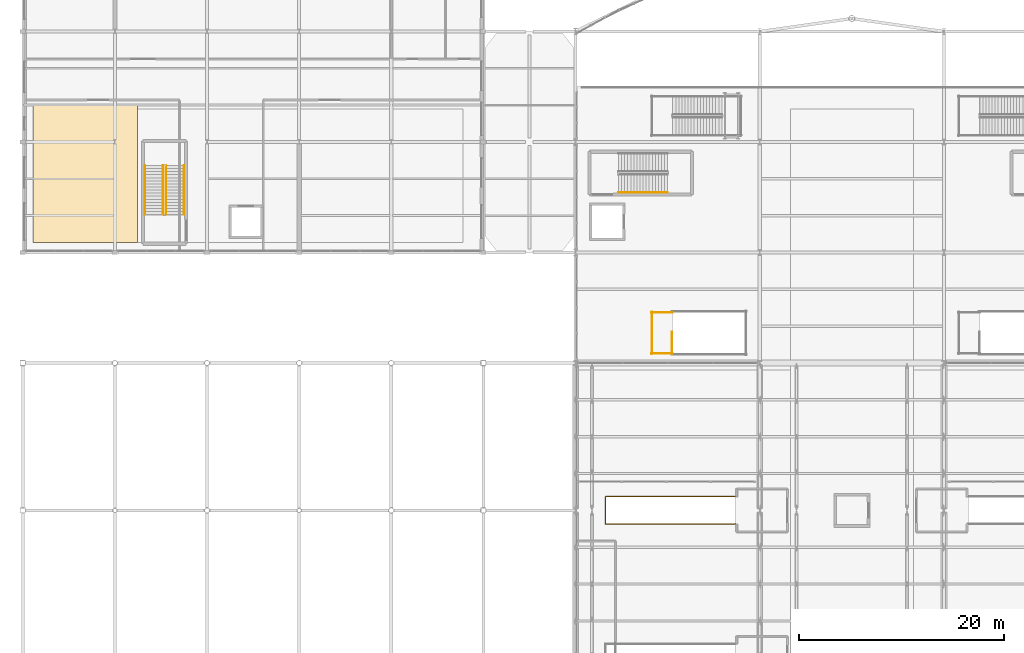
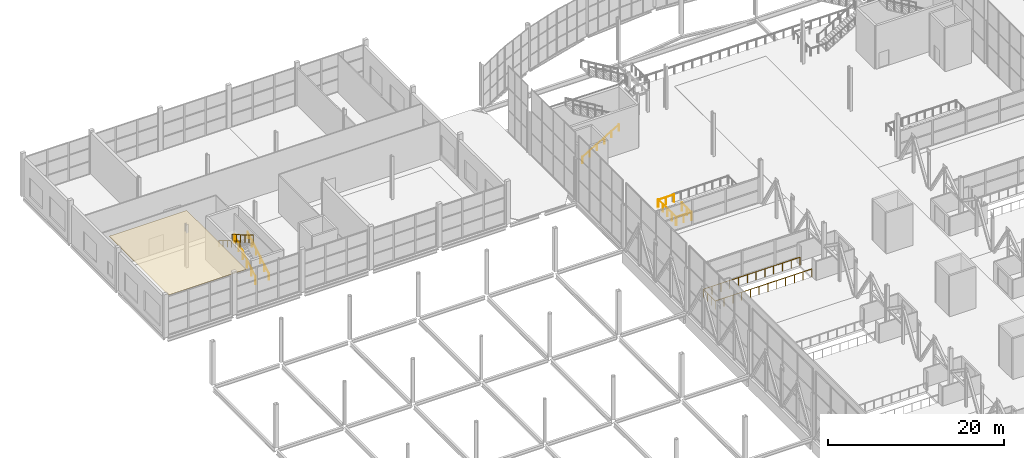
# One storey, part 180 of 191: 10 railings, 1 covering.
"""IFC4 building model written with IfcOpenShell, lengths in metres."""

from ifc_helpers import new_model, si_unit, direction, frame, origin, origin_2d, place, context, subcontext, project, spatial, polyline, circle, outline, extrude, material, layer, layer_set, type_object, element, save


model = new_model("IFC4")

# Units and contexts
model_context = context("Model", 3, precision=1e-05, world=origin(), true_north=direction((0.0, 1.0)))
body_context = subcontext(model_context, "Body", "Model", "MODEL_VIEW")
ifc_project = project(units=[si_unit("LENGTHUNIT", "METRE"), si_unit("AREAUNIT", "SQUARE_METRE"), si_unit("VOLUMEUNIT", "CUBIC_METRE"), si_unit("PLANEANGLEUNIT", "RADIAN"), si_unit("MASSUNIT", "GRAM", prefix="KILO")], contexts=[model_context])

# Site, building, storey
site_placement = place(None, origin())
site = spatial("IfcSite", under=ifc_project, at=site_placement, CompositionType="ELEMENT")
building_placement = place(site_placement, origin())
building = spatial("IfcBuilding", under=site, at=building_placement, Name="Tamarisk Ironworks Central Station", CompositionType="ELEMENT")
storey_placement = place(building_placement, frame((0.0, 0.0, 6.60009765625)))
storey = spatial("IfcBuildingStorey", under=building, at=storey_placement, Name="L01", CompositionType="ELEMENT", Elevation=6.60009765625)

# Covering
ifc_material_1 = material(Name="Gypsum plasterboard acoustic partition")
ifc_layer = layer(ifc_material_1, 0.0400390625)
ifc_layer_set = layer_set([ifc_layer], Name="Gypsum plasterboard acoustic partition")
covering_type = type_object("IfcCoveringType", Name="COV-CEIL-AC", PredefinedType="CEILING", material=ifc_layer_set)
covering_placement = place(storey_placement, frame((0.0, 0.0, 4.7998046875)))
element("IfcCovering", 1, at=covering_placement, inside=storey, type_object=covering_type, Name="L01 suspended acoustic baffle ceiling 005", PredefinedType="CEILING", context=body_context, shape_type="SweptSolid", body=[
    extrude(outline(polyline([(1.0, 91.0), (11.199951171875, 91.0), (11.199951171875, 104.5), (1.0, 104.5), (1.0, 91.0)])), origin(), (0.0, 0.0, 1.0), 0.0400390625),
])

# Railings
ifc_material_2 = material(Name="Laminated solar-control low-E glass", Category="glass")
railing_type_1 = type_object("IfcRailingType", Name="RL-GUARD-GLASS", PredefinedType="BALUSTRADE", material=ifc_material_2)
railing_1_placement = place(storey_placement, frame((63.449951171875, 80.10009765625, 0.0)))
element("IfcRailing", 2, at=railing_1_placement, inside=storey, type_object=railing_type_1, Name="L01 ST-TH1 top well guard 1", PredefinedType="BALUSTRADE", context=body_context, shape_type="SweptSolid", body=[
    extrude(circle(Radius=0.02392578125, at=origin_2d()), frame((0.0, 0.0, 1.076171875), z_axis=(0.0, 1.0, 0.0), x_axis=(-1.0, 0.0, 0.0)), (0.0, 0.0, 1.0), 2.14990234375),
    extrude(circle(Radius=0.02099609375, at=origin_2d()), origin(), (0.0, 0.0, 1.0), 1.052001953125),
    extrude(circle(Radius=0.02099609375, at=origin_2d()), frame((0.0, 1.074951171875, 0.0)), (0.0, 0.0, 1.0), 1.052001953125),
    extrude(circle(Radius=0.02099609375, at=origin_2d()), frame((0.0, 2.14990234375, 0.0)), (0.0, 0.0, 1.0), 1.052001953125),
])
for number, where, name in (
    (3, (61.39990234375, 80.14990234375, 0.0), "L01 ST-TH1 top well guard 5"),
    (4, (61.39990234375, 84.14990234375, 0.0), "L01 ST-TH1 top well guard 6"),
):
    element("IfcRailing", number, at=place(storey_placement, frame(where)), inside=storey, type_object=railing_type_1, Name=name, PredefinedType="BALUSTRADE", context=body_context, shape_type="SweptSolid", body=[
        extrude(circle(Radius=0.02392578125, at=origin_2d()), frame((0.0, 0.0, 1.076171875), z_axis=(1.0, 0.0, 0.0), x_axis=(0.0, 1.0, 0.0)), (0.0, 0.0, 1.0), 2.10009765625),
        extrude(circle(Radius=0.02099609375, at=origin_2d()), origin(), (0.0, 0.0, 1.0), 1.052001953125),
        extrude(circle(Radius=0.02099609375, at=origin_2d()), frame((1.050048828125, 0.0, 0.0)), (0.0, 0.0, 1.0), 1.052001953125),
        extrude(circle(Radius=0.02099609375, at=origin_2d()), frame((2.10009765625, 0.0, 0.0)), (0.0, 0.0, 1.0), 1.052001953125),
    ])
railing_2_placement = place(storey_placement, frame((61.449951171875, 80.10009765625, 0.0)))
element("IfcRailing", 5, at=railing_2_placement, inside=storey, type_object=railing_type_1, Name="L01 ST-TH1 top well guard 7", PredefinedType="BALUSTRADE", context=body_context, shape_type="SweptSolid", body=[
    extrude(circle(Radius=0.02392578125, at=origin_2d()), frame((0.0, 0.0, 1.076171875), z_axis=(0.0, 1.0, 0.0), x_axis=(-1.0, 0.0, 0.0)), (0.0, 0.0, 1.0), 4.099853515625),
    extrude(circle(Radius=0.02099609375, at=origin_2d()), origin(), (0.0, 0.0, 1.0), 1.052001953125),
    extrude(circle(Radius=0.02099609375, at=origin_2d()), frame((0.0, 1.02490234375, 0.0)), (0.0, 0.0, 1.0), 1.052001953125),
    extrude(circle(Radius=0.02099609375, at=origin_2d()), frame((0.0, 2.0498046875, 0.0)), (0.0, 0.0, 1.0), 1.052001953125),
    extrude(circle(Radius=0.02099609375, at=origin_2d()), frame((0.0, 3.074951171875, 0.0)), (0.0, 0.0, 1.0), 1.052001953125),
    extrude(circle(Radius=0.02099609375, at=origin_2d()), frame((0.0, 4.099853515625, 0.0)), (0.0, 0.0, 1.0), 1.052001953125),
])
railing_3_placement = place(storey_placement, frame((69.64990234375, 63.449951171875, 0.0)))
element("IfcRailing", 6, at=railing_3_placement, inside=storey, type_object=railing_type_1, Name="L01 platform stair well guard ST-P4A", PredefinedType="BALUSTRADE", context=body_context, shape_type="SweptSolid", body=[
    extrude(circle(Radius=0.02392578125, at=origin_2d()), frame((0.0, 0.0, 1.1259765625), z_axis=(-1.0, 0.0, 0.0), x_axis=(0.0, -1.0, 0.0)), (0.0, 0.0, 1.0), 12.699951171875),
    extrude(circle(Radius=0.02392578125, at=origin_2d()), frame((-12.699951171875, 0.0, 1.1259765625), z_axis=(0.0, 1.0, 0.0), x_axis=(-1.0, 0.0, 0.0)), (0.0, 0.0, 1.0), 2.699951171875),
    extrude(circle(Radius=0.02392578125, at=origin_2d()), frame((-12.699951171875, 2.699951171875, 1.1259765625), z_axis=(1.0, 0.0, 0.0), x_axis=(0.0, 1.0, 0.0)), (0.0, 0.0, 1.0), 12.699951171875),
    extrude(circle(Radius=0.02099609375, at=origin_2d()), origin(), (0.0, 0.0, 1.0), 1.101806640625),
    extrude(circle(Radius=0.02099609375, at=origin_2d()), frame((-1.154541015625, 0.0, 0.0)), (0.0, 0.0, 1.0), 1.101806640625),
    extrude(circle(Radius=0.02099609375, at=origin_2d()), frame((-2.30908203125, 0.0, 0.0)), (0.0, 0.0, 1.0), 1.101806640625),
    extrude(circle(Radius=0.02099609375, at=origin_2d()), frame((-3.463623046875, 0.0, 0.0)), (0.0, 0.0, 1.0), 1.101806640625),
    extrude(circle(Radius=0.02099609375, at=origin_2d()), frame((-4.6181640625, 0.0, 0.0)), (0.0, 0.0, 1.0), 1.101806640625),
    extrude(circle(Radius=0.02099609375, at=origin_2d()), frame((-5.772705078125, 0.0, 0.0)), (0.0, 0.0, 1.0), 1.101806640625),
    extrude(circle(Radius=0.02099609375, at=origin_2d()), frame((-6.92724609375, 0.0, 0.0)), (0.0, 0.0, 1.0), 1.101806640625),
    extrude(circle(Radius=0.02099609375, at=origin_2d()), frame((-8.081787109375, 0.0, 0.0)), (0.0, 0.0, 1.0), 1.101806640625),
    extrude(circle(Radius=0.02099609375, at=origin_2d()), frame((-9.236328125, 0.0, 0.0)), (0.0, 0.0, 1.0), 1.101806640625),
    extrude(circle(Radius=0.02099609375, at=origin_2d()), frame((-10.390869140625, 0.0, 0.0)), (0.0, 0.0, 1.0), 1.101806640625),
    extrude(circle(Radius=0.02099609375, at=origin_2d()), frame((-11.54541015625, 0.0, 0.0)), (0.0, 0.0, 1.0), 1.101806640625),
    extrude(circle(Radius=0.02099609375, at=origin_2d()), frame((-12.699951171875, 0.0, 0.0)), (0.0, 0.0, 1.0), 1.101806640625),
    extrude(circle(Radius=0.02099609375, at=origin_2d()), frame((-12.699951171875, 0.89990234375, 0.0)), (0.0, 0.0, 1.0), 1.101806640625),
    extrude(circle(Radius=0.02099609375, at=origin_2d()), frame((-12.699951171875, 1.800048828125, 0.0)), (0.0, 0.0, 1.0), 1.101806640625),
    extrude(circle(Radius=0.02099609375, at=origin_2d()), frame((-12.699951171875, 2.699951171875, 0.0)), (0.0, 0.0, 1.0), 1.101806640625),
    extrude(circle(Radius=0.02099609375, at=origin_2d()), frame((-11.54541015625, 2.699951171875, 0.0)), (0.0, 0.0, 1.0), 1.101806640625),
    extrude(circle(Radius=0.02099609375, at=origin_2d()), frame((-10.390869140625, 2.699951171875, 0.0)), (0.0, 0.0, 1.0), 1.101806640625),
    extrude(circle(Radius=0.02099609375, at=origin_2d()), frame((-9.236328125, 2.699951171875, 0.0)), (0.0, 0.0, 1.0), 1.101806640625),
    extrude(circle(Radius=0.02099609375, at=origin_2d()), frame((-8.081787109375, 2.699951171875, 0.0)), (0.0, 0.0, 1.0), 1.101806640625),
    extrude(circle(Radius=0.02099609375, at=origin_2d()), frame((-6.92724609375, 2.699951171875, 0.0)), (0.0, 0.0, 1.0), 1.101806640625),
    extrude(circle(Radius=0.02099609375, at=origin_2d()), frame((-5.772705078125, 2.699951171875, 0.0)), (0.0, 0.0, 1.0), 1.101806640625),
    extrude(circle(Radius=0.02099609375, at=origin_2d()), frame((-4.6181640625, 2.699951171875, 0.0)), (0.0, 0.0, 1.0), 1.101806640625),
    extrude(circle(Radius=0.02099609375, at=origin_2d()), frame((-3.463623046875, 2.699951171875, 0.0)), (0.0, 0.0, 1.0), 1.101806640625),
    extrude(circle(Radius=0.02099609375, at=origin_2d()), frame((-2.30908203125, 2.699951171875, 0.0)), (0.0, 0.0, 1.0), 1.101806640625),
    extrude(circle(Radius=0.02099609375, at=origin_2d()), frame((-1.154541015625, 2.699951171875, 0.0)), (0.0, 0.0, 1.0), 1.101806640625),
    extrude(circle(Radius=0.02099609375, at=origin_2d()), frame((0.0, 2.699951171875, 0.0)), (0.0, 0.0, 1.0), 1.101806640625),
])
ifc_material_3 = material(Name="Brushed stainless steel AISI 316", Category="steel")
railing_type_2 = type_object("IfcRailingType", Name="RL-GUARD-INT", PredefinedType="BALUSTRADE", material=ifc_material_3)
railing_4_placement = place(storey_placement, frame((14.0, 93.699951171875, 0.17626953125)))
element("IfcRailing", 7, at=railing_4_placement, inside=storey, type_object=railing_type_2, Name="L01 ST-C6 stair guard 1", PredefinedType="BALUSTRADE", context=body_context, shape_type="SweptSolid", body=[
    extrude(circle(Radius=0.02392578125, at=origin_2d()), frame((0.0, 0.0, 1.076171875), z_axis=(0.0, 0.861920691219, 0.507043116558), x_axis=(-1.0, 0.0, 0.0)), (0.0, 0.0, 1.0), 5.569091796875),
    extrude(circle(Radius=0.02099609375, at=origin_2d()), origin(), (0.0, 0.0, 1.0), 1.052001953125),
    extrude(circle(Radius=0.02099609375, at=origin_2d()), frame((0.0, 0.9599609375, 0.564697265625)), (0.0, 0.0, 1.0), 1.052001953125),
    extrude(circle(Radius=0.02099609375, at=origin_2d()), frame((0.0, 1.919921875, 1.12939453125)), (0.0, 0.0, 1.0), 1.052001953125),
    extrude(circle(Radius=0.02099609375, at=origin_2d()), frame((0.0, 2.880126953125, 1.6943359375)), (0.0, 0.0, 1.0), 1.052001953125),
    extrude(circle(Radius=0.02099609375, at=origin_2d()), frame((0.0, 3.840087890625, 2.259033203125)), (0.0, 0.0, 1.0), 1.052001953125),
    extrude(circle(Radius=0.02099609375, at=origin_2d()), frame((0.0, 4.800048828125, 2.82373046875)), (0.0, 0.0, 1.0), 1.052001953125),
])
railing_5_placement = place(storey_placement, frame((13.699951171875, 98.5, 3.17626953125)))
element("IfcRailing", 8, at=railing_5_placement, inside=storey, type_object=railing_type_2, Name="L01 ST-C6 stair guard 3", PredefinedType="BALUSTRADE", context=body_context, shape_type="SweptSolid", body=[
    extrude(circle(Radius=0.02392578125, at=origin_2d()), frame((0.0, 0.0, 1.076171875), z_axis=(0.0, -0.861920691219, 0.507043116558), x_axis=(1.0, 0.0, 0.0)), (0.0, 0.0, 1.0), 5.569091796875),
    extrude(circle(Radius=0.02099609375, at=origin_2d()), origin(), (0.0, 0.0, 1.0), 1.052001953125),
    extrude(circle(Radius=0.02099609375, at=origin_2d()), frame((0.0, -0.9599609375, 0.564697265625)), (0.0, 0.0, 1.0), 1.052001953125),
    extrude(circle(Radius=0.02099609375, at=origin_2d()), frame((0.0, -1.919921875, 1.12939453125)), (0.0, 0.0, 1.0), 1.052001953125),
    extrude(circle(Radius=0.02099609375, at=origin_2d()), frame((0.0, -2.880126953125, 1.6943359375)), (0.0, 0.0, 1.0), 1.052001953125),
    extrude(circle(Radius=0.02099609375, at=origin_2d()), frame((0.0, -3.840087890625, 2.259033203125)), (0.0, 0.0, 1.0), 1.052001953125),
    extrude(circle(Radius=0.02099609375, at=origin_2d()), frame((0.0, -4.800048828125, 2.82373046875)), (0.0, 0.0, 1.0), 1.052001953125),
])
railing_type_3 = type_object("IfcRailingType", Name="RL-HAND", PredefinedType="HANDRAIL", material=ifc_material_3)
railing_6_placement = place(storey_placement, frame((58.199951171875, 95.85009765625, 0.17626953125)))
element("IfcRailing", 9, at=railing_6_placement, inside=storey, type_object=railing_type_3, Name="L01 ST-C3 stair handrail 1", PredefinedType="HANDRAIL", context=body_context, shape_type="SweptSolid", body=[
    extrude(circle(Radius=0.02392578125, at=origin_2d()), frame((0.0, 0.0, 0.8759765625), z_axis=(0.861920691219, 0.0, 0.507043116558), x_axis=(0.0, 1.0, 0.0)), (0.0, 0.0, 1.0), 5.569091796875),
    extrude(circle(Radius=0.02099609375, at=origin_2d()), origin(), (0.0, 0.0, 1.0), 0.851806640625),
    extrude(circle(Radius=0.02099609375, at=origin_2d()), frame((0.9599609375, 0.0, 0.564697265625)), (0.0, 0.0, 1.0), 0.851806640625),
    extrude(circle(Radius=0.02099609375, at=origin_2d()), frame((1.919921875, 0.0, 1.12939453125)), (0.0, 0.0, 1.0), 0.851806640625),
    extrude(circle(Radius=0.02099609375, at=origin_2d()), frame((2.880126953125, 0.0, 1.6943359375)), (0.0, 0.0, 1.0), 0.851806640625),
    extrude(circle(Radius=0.02099609375, at=origin_2d()), frame((3.840087890625, 0.0, 2.259033203125)), (0.0, 0.0, 1.0), 0.851806640625),
    extrude(circle(Radius=0.02099609375, at=origin_2d()), frame((4.800048828125, 0.0, 2.82373046875)), (0.0, 0.0, 1.0), 0.851806640625),
])
railing_7_placement = place(storey_placement, frame((15.75, 93.699951171875, 0.17626953125)))
element("IfcRailing", 10, at=railing_7_placement, inside=storey, type_object=railing_type_3, Name="L01 ST-C6 stair handrail 1", PredefinedType="HANDRAIL", context=body_context, shape_type="SweptSolid", body=[
    extrude(circle(Radius=0.02392578125, at=origin_2d()), frame((0.0, 0.0, 0.8759765625), z_axis=(0.0, 0.861920691219, 0.507043116558), x_axis=(-1.0, 0.0, 0.0)), (0.0, 0.0, 1.0), 5.569091796875),
    extrude(circle(Radius=0.02099609375, at=origin_2d()), origin(), (0.0, 0.0, 1.0), 0.851806640625),
    extrude(circle(Radius=0.02099609375, at=origin_2d()), frame((0.0, 0.9599609375, 0.564697265625)), (0.0, 0.0, 1.0), 0.851806640625),
    extrude(circle(Radius=0.02099609375, at=origin_2d()), frame((0.0, 1.919921875, 1.12939453125)), (0.0, 0.0, 1.0), 0.851806640625),
    extrude(circle(Radius=0.02099609375, at=origin_2d()), frame((0.0, 2.880126953125, 1.6943359375)), (0.0, 0.0, 1.0), 0.851806640625),
    extrude(circle(Radius=0.02099609375, at=origin_2d()), frame((0.0, 3.840087890625, 2.259033203125)), (0.0, 0.0, 1.0), 0.851806640625),
    extrude(circle(Radius=0.02099609375, at=origin_2d()), frame((0.0, 4.800048828125, 2.82373046875)), (0.0, 0.0, 1.0), 0.851806640625),
])
railing_8_placement = place(storey_placement, frame((11.949951171875, 98.5, 3.17626953125)))
element("IfcRailing", 11, at=railing_8_placement, inside=storey, type_object=railing_type_3, Name="L01 ST-C6 stair handrail 2", PredefinedType="HANDRAIL", context=body_context, shape_type="SweptSolid", body=[
    extrude(circle(Radius=0.02392578125, at=origin_2d()), frame((0.0, 0.0, 0.8759765625), z_axis=(0.0, -0.861920691219, 0.507043116558), x_axis=(1.0, 0.0, 0.0)), (0.0, 0.0, 1.0), 5.569091796875),
    extrude(circle(Radius=0.02099609375, at=origin_2d()), origin(), (0.0, 0.0, 1.0), 0.851806640625),
    extrude(circle(Radius=0.02099609375, at=origin_2d()), frame((0.0, -0.9599609375, 0.564697265625)), (0.0, 0.0, 1.0), 0.851806640625),
    extrude(circle(Radius=0.02099609375, at=origin_2d()), frame((0.0, -1.919921875, 1.12939453125)), (0.0, 0.0, 1.0), 0.851806640625),
    extrude(circle(Radius=0.02099609375, at=origin_2d()), frame((0.0, -2.880126953125, 1.6943359375)), (0.0, 0.0, 1.0), 0.851806640625),
    extrude(circle(Radius=0.02099609375, at=origin_2d()), frame((0.0, -3.840087890625, 2.259033203125)), (0.0, 0.0, 1.0), 0.851806640625),
    extrude(circle(Radius=0.02099609375, at=origin_2d()), frame((0.0, -4.800048828125, 2.82373046875)), (0.0, 0.0, 1.0), 0.851806640625),
])

save(model, "model.ifc")
